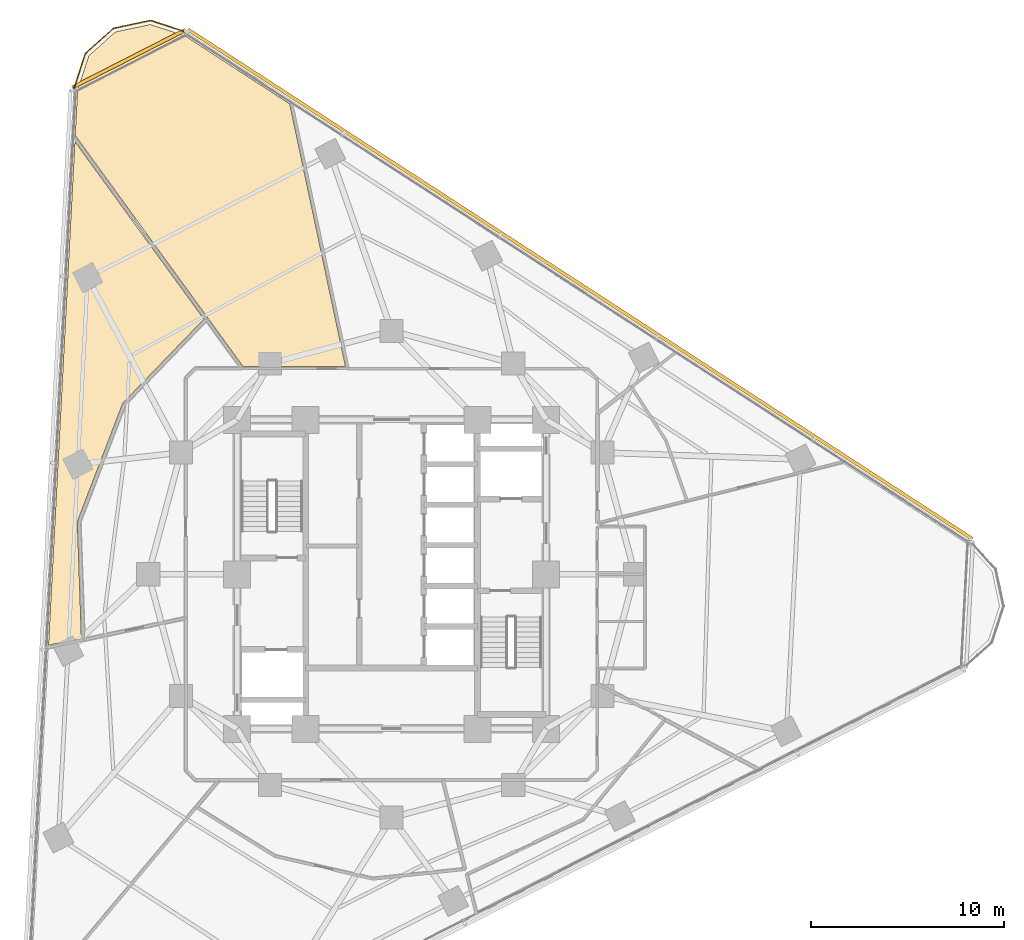
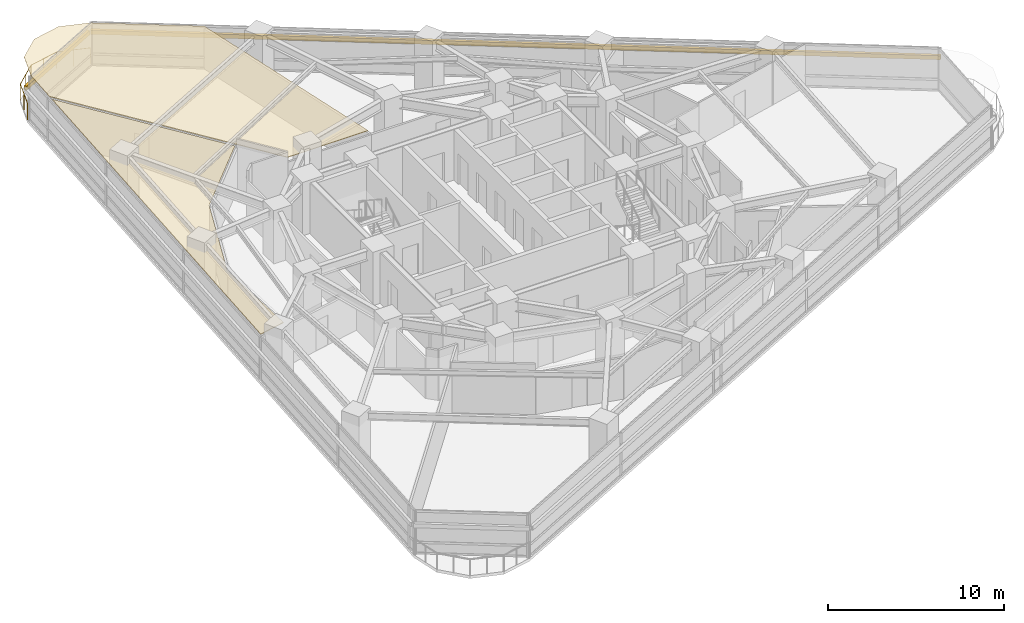
# One storey, part 14 of 14: 2 coverings, 2 shading devices, 1 railing.
"""IFC4 building model written with IfcOpenShell, lengths in metres."""

from ifc_helpers import new_model, si_unit, direction, frame, origin, origin_2d, place, context, subcontext, project, spatial, polyline, rectangle, circle, outline, extrude, material, layer, layer_set, type_object, element, save


model = new_model("IFC4")

# Units and contexts
model_context = context("Model", 3, precision=1e-05, world=origin(), true_north=direction((0.0, 1.0)))
body_context = subcontext(model_context, "Body", "Model", "MODEL_VIEW")
ifc_project = project(units=[si_unit("LENGTHUNIT", "METRE"), si_unit("AREAUNIT", "SQUARE_METRE"), si_unit("VOLUMEUNIT", "CUBIC_METRE"), si_unit("PLANEANGLEUNIT", "RADIAN"), si_unit("MASSUNIT", "GRAM", prefix="KILO")], contexts=[model_context])

# Site, building, storey
site_placement = place(None, origin())
site = spatial("IfcSite", under=ifc_project, at=site_placement, CompositionType="ELEMENT")
building_placement = place(site_placement, origin())
building = spatial("IfcBuilding", under=site, at=building_placement, Name="Terralouvre Media Tower", CompositionType="ELEMENT")
storey_placement = place(building_placement, frame((0.0, 0.0, 123.60009765625)))
storey = spatial("IfcBuildingStorey", under=building, at=storey_placement, Name="L31", CompositionType="ELEMENT", Elevation=123.60009765625)

# Coverings
ifc_material_1 = material(Name="Perforated aluminium acoustic ceiling baffle", Category="aluminium")
ifc_layer_1 = layer(ifc_material_1, 0.0400390625, Name="Perforated Acoustic Metal Tile Ceiling CL-AC1")
ifc_layer_set_1 = layer_set([ifc_layer_1], Name="Perforated aluminium acoustic ceiling baffle")
covering_type = type_object("IfcCoveringType", Name="Perforated Acoustic Metal Tile Ceiling CL-AC1", PredefinedType="CEILING", material=ifc_layer_set_1)
covering_1_placement = place(storey_placement, frame((0.0, 0.0, 2.97998046875), z_axis=(0.0, 0.0, 1.0), x_axis=(0.891006524188, 0.45399049974, 0.0)))
element("IfcCovering", 1, at=covering_1_placement, inside=storey, type_object=covering_type, Name="L31 Match-Day Catering Pantry 10 Acoustic Ceiling", PredefinedType="CEILING", context=body_context, shape_type="SweptSolid", body=[
    extrude(outline(polyline([(-2.4541015625, 16.13330078125), (-1.96875, 13.068115234375), (2.753173828125, 10.662109375), (6.35400390625, 24.0986328125), (3.11474609375, 29.708984375), (1.7861328125, 31.03759765625), (0.0, 31.515869140625), (-1.7861328125, 31.037353515625), (-3.11474609375, 29.708740234375), (-4.28369140625, 27.684326171875), (-2.4541015625, 16.13330078125)])), origin(), (0.0, 0.0, 1.0), 0.0400390625),
])
covering_2_placement = place(storey_placement, frame((0.0, 0.0, 2.97998046875), z_axis=(0.0, 0.0, 1.0), x_axis=(0.891006524188, 0.45399049974, 0.0)))
element("IfcCovering", 2, at=covering_2_placement, inside=storey, type_object=covering_type, Name="L31 League Statistics Library 11 Acoustic Ceiling", PredefinedType="CEILING", context=body_context, shape_type="SweptSolid", body=[
    extrude(outline(polyline([(-13.273681640625, 9.797607421875), (-13.26904296875, 9.806396484375), (-13.263427734375, 9.814697265625), (-13.257080078125, 9.822509765625), (-13.25, 9.82958984375), (-8.390869140625, 14.20556640625), (-8.383056640625, 14.211669921875), (-8.37451171875, 14.21728515625), (-8.36572265625, 14.221923828125), (-8.3564453125, 14.225830078125), (-2.664794921875, 16.18505859375), (-4.442626953125, 27.4091796875), (-17.499755859375, 4.79296875), (-15.81787109375, 4.341796875), (-13.273681640625, 9.797607421875)])), origin(), (0.0, 0.0, 1.0), 0.0400390625),
])

# Railing
ifc_material_2 = material(Name="Stainless steel 316 handrail and balustrade", Category="steel")
ifc_layer_2 = layer(ifc_material_2, 0.06005859375, Name="Roof Edge Safety Guardrail GR-ROOF1")
ifc_layer_set_2 = layer_set([ifc_layer_2], Name="Stainless steel 316 handrail and balustrade")
railing_type = type_object("IfcRailingType", Name="Roof Edge Safety Guardrail GR-ROOF1", PredefinedType="GUARDRAIL", material=ifc_layer_set_2)
railing_placement = place(storey_placement, frame((-10.611328125, 28.071044921875, 0.0)))
element("IfcRailing", 3, at=railing_placement, inside=storey, type_object=railing_type, Name="L31 Wind-Corner Perimeter Safety Guardrail C2", PredefinedType="GUARDRAIL", context=body_context, shape_type="SweptSolid", body=[
    extrude(circle(Radius=0.02099609375, at=origin_2d()), frame((0.0, 0.0, 1.12890625), z_axis=(-0.950979313277, 0.309254499918, 0.0), x_axis=(-0.309254499918, -0.950979313277, 0.0)), (0.0, 0.0, 1.0), 1.966552734375),
    extrude(circle(Radius=0.02099609375, at=origin_2d()), frame((-1.8701171875, 0.608154296875, 1.12890625), z_axis=(-0.9781553792, -0.207875092647, 0.0), x_axis=(0.207875092647, -0.9781553792, 0.0)), (0.0, 0.0, 1.0), 1.966064453125),
    extrude(circle(Radius=0.02099609375, at=origin_2d()), frame((-3.793212890625, 0.199462890625, 1.12890625), z_axis=(-0.743084172505, -0.66919796217, 0.0), x_axis=(0.66919796217, -0.743084172505, 0.0)), (0.0, 0.0, 1.0), 1.966064453125),
    extrude(circle(Radius=0.02099609375, at=origin_2d()), frame((-5.254150390625, -1.1162109375, 1.12890625), z_axis=(-0.308768829513, -0.951137114154, 0.0), x_axis=(0.951137114154, -0.308768829513, 0.0)), (0.0, 0.0, 1.0), 1.966552734375),
    extrude(circle(Radius=0.01904296875, at=origin_2d()), origin(), (0.0, 0.0, 1.0), 1.10791015625),
    extrude(circle(Radius=0.01904296875, at=origin_2d()), frame((-0.93505859375, 0.30419921875, 0.0)), (0.0, 0.0, 1.0), 1.10791015625),
    extrude(circle(Radius=0.01904296875, at=origin_2d()), frame((-1.8701171875, 0.608154296875, 0.0)), (0.0, 0.0, 1.0), 1.10791015625),
    extrude(circle(Radius=0.01904296875, at=origin_2d()), frame((-2.83154296875, 0.40380859375, 0.0)), (0.0, 0.0, 1.0), 1.10791015625),
    extrude(circle(Radius=0.01904296875, at=origin_2d()), frame((-3.793212890625, 0.199462890625, 0.0)), (0.0, 0.0, 1.0), 1.10791015625),
    extrude(circle(Radius=0.01904296875, at=origin_2d()), frame((-4.523681640625, -0.45849609375, 0.0)), (0.0, 0.0, 1.0), 1.10791015625),
    extrude(circle(Radius=0.01904296875, at=origin_2d()), frame((-5.254150390625, -1.1162109375, 0.0)), (0.0, 0.0, 1.0), 1.10791015625),
    extrude(circle(Radius=0.01904296875, at=origin_2d()), frame((-5.5576171875, -2.05126953125, 0.0)), (0.0, 0.0, 1.0), 1.10791015625),
    extrude(circle(Radius=0.01904296875, at=origin_2d()), frame((-5.861328125, -2.986572265625, 0.0)), (0.0, 0.0, 1.0), 1.10791015625),
])

# Shading devices
ifc_material_3 = material(Name="Extruded terracotta baguette sunshade louvres", Category="masonry")
shading_device_type = type_object("IfcShadingDeviceType", Name="Terracotta Baguette Sunshade Louvre Screen TB-LV1", PredefinedType="USERDEFINED", material=ifc_material_3)
shading_device_1_placement = place(storey_placement, frame((9.755615234375, 15.022216796875, 2.02392578125), z_axis=(0.0, 0.0, 1.0), x_axis=(-0.838670588944, 0.544639002681, 0.0)))
element("IfcShadingDevice", 4, at=shading_device_1_placement, inside=storey, type_object=shading_device_type, Name="CW-L31-F1 Terracotta Baguette Sunshade Louvre", ObjectType="BAGUETTE", PredefinedType="USERDEFINED", context=body_context, shape_type="SweptSolid", body=[
    extrude(rectangle(XDim=48.39990234375, YDim=0.179931640625, at=origin_2d()), origin(), (0.0, 0.0, 1.0), 0.280029296875),
])
shading_device_2_placement = place(storey_placement, frame((-13.603271484375, 26.697998046875, 2.02392578125), z_axis=(0.0, 0.0, 1.0), x_axis=(-0.891006600184, -0.45399035059, 0.0)))
element("IfcShadingDevice", 5, at=shading_device_2_placement, inside=storey, type_object=shading_device_type, Name="CW-L31-C2 Terracotta Baguette Sunshade Louvre", ObjectType="BAGUETTE", PredefinedType="USERDEFINED", context=body_context, shape_type="SweptSolid", body=[
    extrude(rectangle(XDim=6.581787109375, YDim=0.179931640625, at=origin_2d()), origin(), (0.0, 0.0, 1.0), 0.280029296875),
])

save(model, "model.ifc")
